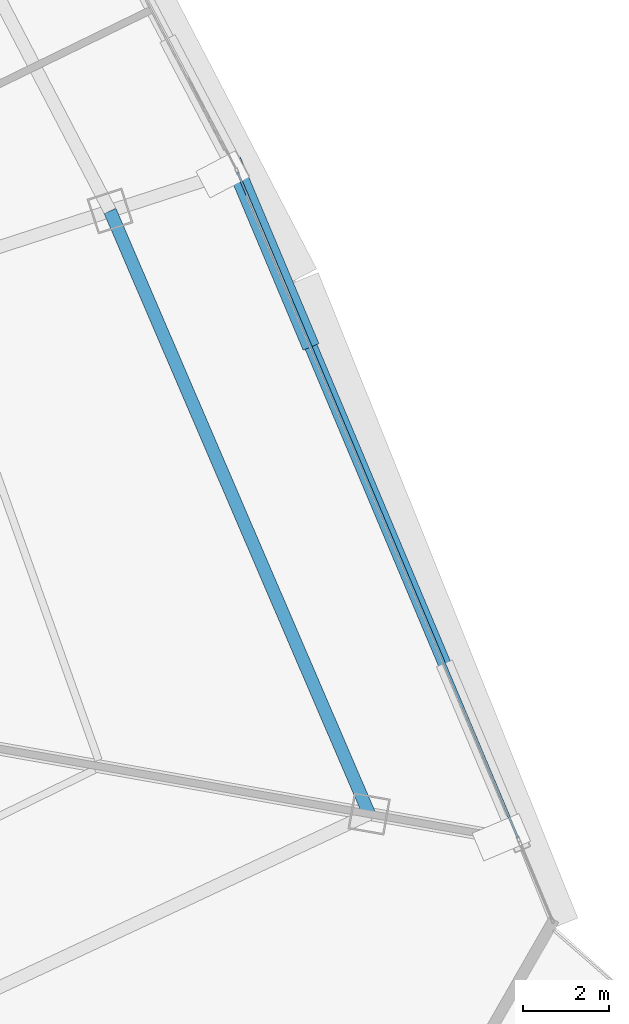
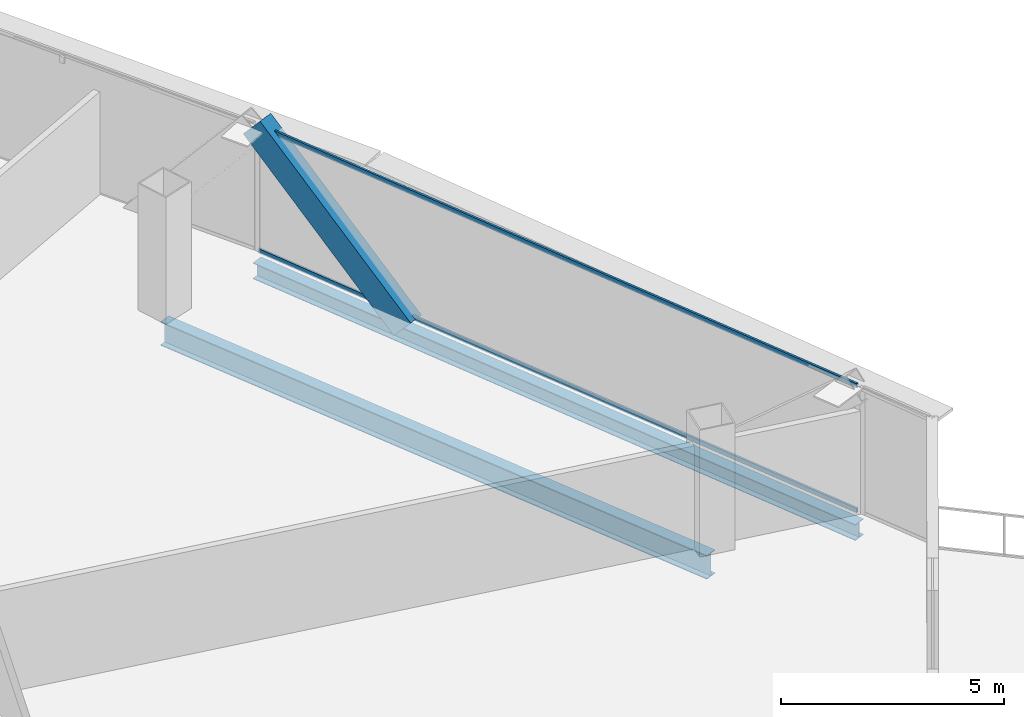
# One storey, part 23 of 35: 3 members, 2 beams, 1 element without a shape of its own.
"""IFC4 building model written with IfcOpenShell, lengths in metres."""

from ifc_helpers import new_model, si_unit, direction, frame, origin, origin_2d, place, context, subcontext, project, spatial, hollow_rectangle, i_section, extrude, source, transform, mapped, material, layer, layer_set, material_profile, profile_set, type_object, element, aggregate, save


model = new_model("IFC4")

# Units and contexts
model_context = context("Model", 3, precision=1e-05, world=origin(), true_north=direction((0.0, 1.0)))
body_context = subcontext(model_context, "Body", "Model", "MODEL_VIEW")
ifc_project = project(units=[si_unit("LENGTHUNIT", "METRE"), si_unit("AREAUNIT", "SQUARE_METRE"), si_unit("VOLUMEUNIT", "CUBIC_METRE"), si_unit("PLANEANGLEUNIT", "RADIAN"), si_unit("MASSUNIT", "GRAM", prefix="KILO"), si_unit("THERMODYNAMICTEMPERATUREUNIT", "KELVIN"), si_unit("POWERUNIT", "WATT")], contexts=[model_context])

# Site, building, storey
site_placement = place(None, origin())
site = spatial("IfcSite", under=ifc_project, at=site_placement, CompositionType="ELEMENT")
building_placement = place(site_placement, origin())
building = spatial("IfcBuilding", under=site, at=building_placement, Name="Yunzhuo Pagoda Commons", CompositionType="ELEMENT")
storey_placement = place(building_placement, frame((0.0, 0.0, 237.070068359375)))
storey = spatial("IfcBuildingStorey", under=building, at=storey_placement, Name="L59", CompositionType="ELEMENT", Elevation=237.070068359375)

# Beams
ifc_material_1 = material(Name="Structural steel Q355B", Category="steel")
ifc_material_profile_1 = material_profile(ifc_material_1, i_section(OverallWidth=0.300048828125, OverallDepth=0.43994140625, WebThickness=0.010986328125, FlangeThickness=0.01806640625, at=origin_2d()), Name="Structural steel Q355B")
ifc_profile_set_1 = profile_set([ifc_material_profile_1], Name="Structural steel Q355B")
beam_type_1 = type_object("IfcBeamType", Name="B-SP2 Beam HM 440x300x11x18", PredefinedType="BEAM", material=ifc_profile_set_1)
shared_shape_1 = source(origin(), body_context, "Body", "SweptSolid", [
    extrude(i_section(OverallWidth=0.300048828125, OverallDepth=0.43994140625, WebThickness=0.010986328125, FlangeThickness=0.01806640625, at=origin_2d()), origin(), (0.0, 0.0, 1.0), 16.947021484375),
])
beam_1_placement = place(storey_placement, frame((83.422607421875, 27.4541015625, -0.47998046875), z_axis=(-0.388172279694, 0.921586827856, 0.0), x_axis=(-0.921586827856, -0.388172279694, 0.0)))
element("IfcBeam", 1, at=beam_1_placement, inside=storey, type_object=beam_type_1, Name="L59 facade edge spandrel beam F2.1", PredefinedType="BEAM", context=body_context, shape_type="MappedRepresentation", body=[
    mapped(shared_shape_1, transform((0.0, 0.0, 0.0), scale=1.0)),
])
ifc_material_profile_2 = material_profile(ifc_material_1, i_section(OverallWidth=0.300048828125, OverallDepth=0.64990234375, WebThickness=0.012939453125, FlangeThickness=0.02197265625, at=origin_2d()), Name="Structural steel Q355B")
ifc_profile_set_2 = profile_set([ifc_material_profile_2], Name="Structural steel Q355B")
beam_type_2 = type_object("IfcBeamType", Name="B-RG2 Beam HN 650x300x13x22", PredefinedType="BEAM", material=ifc_profile_set_2)
shared_shape_2 = source(origin(), body_context, "Body", "SweptSolid", [
    extrude(i_section(OverallWidth=0.300048828125, OverallDepth=0.64990234375, WebThickness=0.012939453125, FlangeThickness=0.02197265625, at=origin_2d()), origin(), (0.0, 0.0, 1.0), 15.28759765625),
])
beam_2_placement = place(storey_placement, frame((79.93408203125, 28.069091796875, -0.5849609375), z_axis=(-0.394788372839, 0.918772083093, 0.0), x_axis=(-0.918772083093, -0.394788372839, 0.0)))
element("IfcBeam", 2, at=beam_2_placement, inside=storey, type_object=beam_type_2, Name="L59 column-ring beam 5", PredefinedType="BEAM", context=body_context, shape_type="MappedRepresentation", body=[
    mapped(shared_shape_2, transform((0.0, 0.0, 0.0), scale=1.0)),
])

# Member
ifc_material_profile_3 = material_profile(ifc_material_1, hollow_rectangle(XDim=0.39990234375, YDim=0.719970703125, WallThickness=0.02392578125, at=origin_2d()), Name="Structural steel Q355B")
ifc_profile_set_3 = profile_set([ifc_material_profile_3], Name="Structural steel Q355B")
member_type_1 = type_object("IfcMemberType", Name="M-DL2 Brace BOX 720x400x24", PredefinedType="BRACE", material=ifc_profile_set_3)
shared_shape_3 = source(origin(), body_context, "Body", "SweptSolid", [
    extrude(hollow_rectangle(XDim=0.39990234375, YDim=0.719970703125, WallThickness=0.02392578125, at=origin_2d()), origin(), (0.0, 0.0, 1.0), 5.644775390625),
])
member_1_placement = place(storey_placement, frame((78.489013671875, 39.167724609375, -0.260009765625), z_axis=(-0.291380168499, 0.691708926051, 0.660784654049), x_axis=(-0.921571366712, -0.388208985027, 0.0)))
element("IfcMember", 3, at=member_1_placement, inside=storey, type_object=member_type_1, Name="L59 facade diamond brace F2.1R", PredefinedType="BRACE", context=body_context, shape_type="MappedRepresentation", body=[
    mapped(shared_shape_3, transform((0.0, 0.0, 0.0), scale=1.0)),
])

# Curtain wall, members
ifc_material_2 = material(Name="Anodized aluminium 6063-T6", Category="aluminium")
ifc_layer = layer(ifc_material_2, 0.139892578125)
ifc_layer_set = layer_set([ifc_layer], Name="Anodized aluminium 6063-T6")
curtain_wall_type = type_object("IfcCurtainWallType", Name="CW-HI High-Zone Ribbon Curtain Wall", PredefinedType="NOTDEFINED", material=ifc_layer_set)
curtain_wall_placement = place(storey_placement, origin())
curtain_wall = element("IfcCurtainWall", 4, at=curtain_wall_placement, inside=storey, type_object=curtain_wall_type, Name="L59 curtain wall CW-L59-F2B2", PredefinedType="NOTDEFINED")
ifc_material_profile_4 = material_profile(ifc_material_2, hollow_rectangle(XDim=0.054931640625, YDim=0.1201171875, WallThickness=0.00341796875, at=origin_2d()), Name="Anodized aluminium 6063-T6")
ifc_profile_set_4 = profile_set([ifc_material_profile_4], Name="Anodized aluminium 6063-T6")
member_type_2 = type_object("IfcMemberType", Name="CW-HI-T Transom RHS 120x55x3.5", PredefinedType="USERDEFINED", material=ifc_profile_set_4)
shared_shape_4 = source(origin(), body_context, "Body", "SweptSolid", [
    extrude(hollow_rectangle(XDim=0.054931640625, YDim=0.1201171875, WallThickness=0.00341796875, at=origin_2d()), origin(), (0.0, 0.0, 1.0), 16.826904296875),
])
member_2_placement = place(storey_placement, frame((83.399169921875, 27.50927734375, 0.02734375), z_axis=(-0.388157536134, 0.921593037703, 0.0), x_axis=(-0.921593037703, -0.388157536134, 0.0)))
member_2 = element("IfcMember", 5, at=member_2_placement, type_object=member_type_2, Name="CW transom 1.1", ObjectType="TRANSOM", PredefinedType="USERDEFINED", context=body_context, shape_type="MappedRepresentation", body=[
    mapped(shared_shape_4, transform((0.0, 0.0, 0.0), scale=1.0)),
])
member_3_placement = place(storey_placement, frame((83.399169921875, 27.50927734375, 3.4423828125), z_axis=(-0.388157536134, 0.921593037703, 0.0), x_axis=(-0.921593037703, -0.388157536134, 0.0)))
member_3 = element("IfcMember", 6, at=member_3_placement, type_object=member_type_2, Name="CW transom 1.2", ObjectType="TRANSOM", PredefinedType="USERDEFINED", context=body_context, shape_type="MappedRepresentation", body=[
    mapped(shared_shape_4, transform((0.0, 0.0, 0.0), scale=1.0)),
])
aggregate(curtain_wall, [member_2, member_3])

save(model, "model.ifc")
